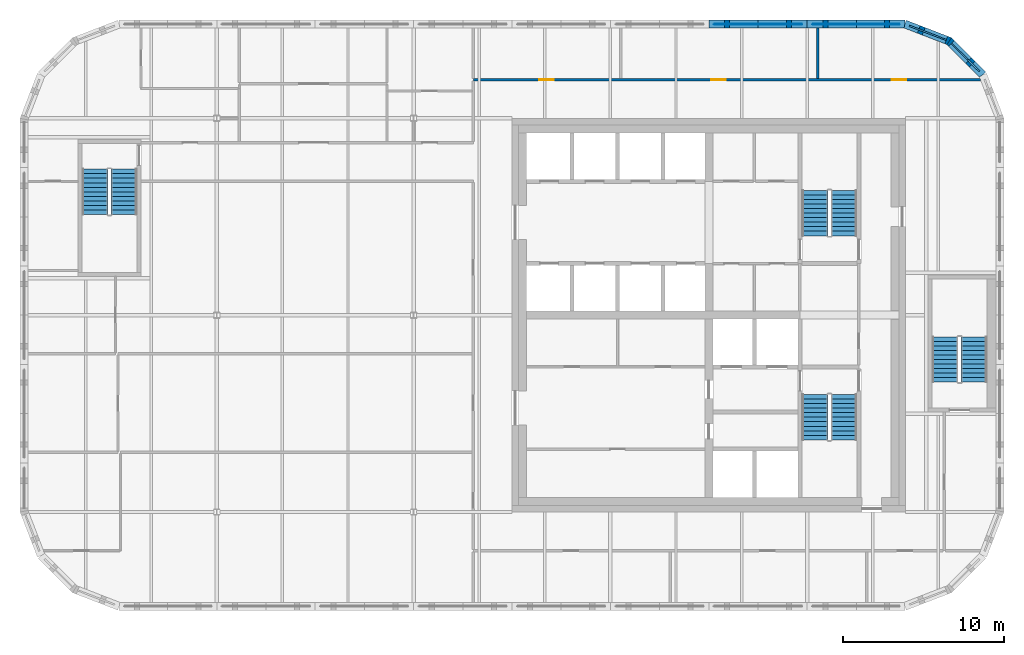
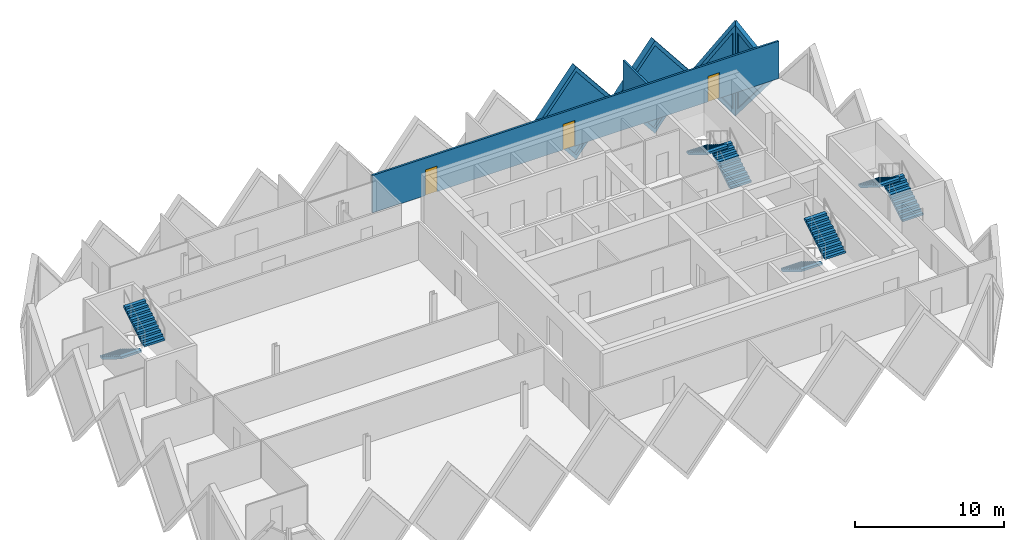
# One storey, part 9 of 10: 8 stair flights, 6 walls, 4 plates, 3 doors, 7 openings, 4 elements without a shape of their own.
"""IFC4 building model written with IfcOpenShell, lengths in metres."""

from ifc_helpers import new_model, si_unit, direction, frame, frame_2d, origin, place, context, subcontext, project, spatial, polyline, rectangle, outline, extrude, faceted_brep, source, transform, mapped, material, layer, layer_set, type_object, element, fill, aggregate, save


model = new_model("IFC4")

# Units and contexts
model_context = context("Model", 3, precision=1e-05, world=origin(), true_north=direction((0.0, 1.0)))
body_context = subcontext(model_context, "Body", "Model", "MODEL_VIEW")
ifc_project = project(units=[si_unit("LENGTHUNIT", "METRE"), si_unit("AREAUNIT", "SQUARE_METRE"), si_unit("VOLUMEUNIT", "CUBIC_METRE"), si_unit("PLANEANGLEUNIT", "RADIAN"), si_unit("MASSUNIT", "GRAM", prefix="KILO")], contexts=[model_context])

# Site, building, storey
site_placement = place(None, origin())
site = spatial("IfcSite", under=ifc_project, at=site_placement, CompositionType="ELEMENT")
building_placement = place(site_placement, origin())
building = spatial("IfcBuilding", under=site, at=building_placement, Name="Tessera Gate Towers", CompositionType="ELEMENT")
storey_placement = place(building_placement, frame((0.0, 0.0, 248.300048828125)))
storey = spatial("IfcBuildingStorey", under=building, at=storey_placement, Name="L62", CompositionType="ELEMENT", Elevation=248.300048828125)

# Wall, openings, doors
ifc_material_1 = material(Name="Gypsum board on steel studs, mineral wool", Category="steel")
ifc_layer_1 = layer(ifc_material_1, 0.14990234375)
ifc_layer_set_1 = layer_set([ifc_layer_1], Name="CORRIDOR WALL 150")
wall_type_1 = type_object("IfcWallType", Name="CORRIDOR WALL 150", PredefinedType="PARTITIONING", material=ifc_layer_set_1)
wall_1_placement = place(storey_placement, frame((28.10009765625, 51.199951171875, 0.0), z_axis=(0.0, 0.0, 1.0), x_axis=(1.0, 0.0, 0.0)))
wall_1 = element("IfcWall", 1, at=wall_1_placement, inside=storey, type_object=wall_type_1, Name="T1-L62-PW-033", PredefinedType="PARTITIONING", context=body_context, shape_type="SweptSolid", body=[
    extrude(rectangle(XDim=31.438232421875, YDim=0.14990234375, at=frame_2d((15.71923828125, 0.0))), origin(), (0.0, 0.0, 1.0), 3.06689453125),
])
shared_shape_1 = source(origin(), body_context, "Body", "SweptSolid", [
    extrude(rectangle(XDim=0.89990234375, YDim=2.10009765625, at=frame_2d((0.449951171875, 1.050048828125))), frame((0.0, 0.0849609375, 0.0), z_axis=(0.0, -1.0, 0.0), x_axis=(1.0, 0.0, 0.0)), (0.0, 0.0, 1.0), 0.169921875),
])
opening_1_placement = place(wall_1_placement, frame((4.10009765625, 0.0, 0.0)))
opening_1 = element("IfcOpeningElement", 2, at=opening_1_placement, cuts=wall_1, Name="Opening D890FD60-A21-07", PredefinedType="OPENING", context=body_context, shape_type="MappedRepresentation", body=[
    mapped(shared_shape_1, transform((0.0, 0.0, 0.0), scale=1.0)),
])
opening_2_placement = place(wall_1_placement, frame((25.950927734375, 0.0, 0.0)))
opening_2 = element("IfcOpeningElement", 3, at=opening_2_placement, cuts=wall_1, Name="Opening D890FD60-A21-08", PredefinedType="OPENING", context=body_context, shape_type="MappedRepresentation", body=[
    mapped(shared_shape_1, transform((0.0, 0.0, 0.0), scale=1.0)),
])
opening_3_placement = place(wall_1_placement, frame((14.75, 0.0, 0.0)))
opening_3 = element("IfcOpeningElement", 4, at=opening_3_placement, cuts=wall_1, Name="Opening D890FD60-A21-11", PredefinedType="OPENING", context=body_context, shape_type="MappedRepresentation", body=[
    mapped(shared_shape_1, transform((0.0, 0.0, 0.0), scale=1.0)),
])
ifc_material_2 = material(Name="Timber door leaf in steel frame", Category="steel")
door_type = type_object("IfcDoorType", Name="CORRIDOR DOOR 900 FD60", OperationType="NOTDEFINED", PredefinedType="DOOR", material=ifc_material_2)
shared_shape_2 = source(origin(), body_context, "Body", "SweptSolid", [
    extrude(rectangle(XDim=0.89990234375, YDim=2.10009765625, at=frame_2d((0.449951171875, 1.050048828125))), frame((0.0, 0.02490234375, 0.0), z_axis=(0.0, -1.0, 0.0), x_axis=(1.0, 0.0, 0.0)), (0.0, 0.0, 1.0), 0.050048828125),
])
door_1_placement = place(opening_1_placement, origin())
door_1 = element("IfcDoor", 5, at=door_1_placement, inside=storey, type_object=door_type, Name="T1-L62-PD-011", OperationType="SINGLE_SWING_LEFT", OverallHeight=2.10009765625, OverallWidth=0.89990234375, PredefinedType="DOOR", context=body_context, shape_type="MappedRepresentation", body=[
    mapped(shared_shape_2, transform((0.0, 0.0, 0.0), scale=1.0)),
])
fill(opening_1, door_1)
door_2_placement = place(opening_2_placement, origin())
door_2 = element("IfcDoor", 6, at=door_2_placement, inside=storey, type_object=door_type, Name="T1-L62-PD-015", OperationType="SINGLE_SWING_LEFT", OverallHeight=2.10009765625, OverallWidth=0.89990234375, PredefinedType="DOOR", context=body_context, shape_type="MappedRepresentation", body=[
    mapped(shared_shape_2, transform((0.0, 0.0, 0.0), scale=1.0)),
])
fill(opening_2, door_2)
door_3_placement = place(opening_3_placement, origin())
door_3 = element("IfcDoor", 7, at=door_3_placement, inside=storey, type_object=door_type, Name="T1-L62-PD-019", OperationType="SINGLE_SWING_LEFT", OverallHeight=2.10009765625, OverallWidth=0.89990234375, PredefinedType="DOOR", context=body_context, shape_type="MappedRepresentation", body=[
    mapped(shared_shape_2, transform((0.0, 0.0, 0.0), scale=1.0)),
])
fill(opening_3, door_3)

# Wall
ifc_material_3 = material(Name="Gypsum board on steel studs, mineral wool", Category="steel")
ifc_layer_2 = layer(ifc_material_3, 0.14990234375)
ifc_layer_set_2 = layer_set([ifc_layer_2], Name="TENANCY WALL 150")
wall_type_2 = type_object("IfcWallType", Name="TENANCY WALL 150", PredefinedType="PARTITIONING", material=ifc_layer_set_2)
wall_2_placement = place(storey_placement, frame((49.449951171875, 51.27587890625, 0.0), z_axis=(0.0, 0.0, 1.0), x_axis=(0.0, 1.0, 0.0)))
element("IfcWall", 8, at=wall_2_placement, inside=storey, type_object=wall_type_2, Name="T1-L62-PW-036", PredefinedType="PARTITIONING", context=body_context, shape_type="SweptSolid", body=[
    extrude(rectangle(XDim=3.1240234375, YDim=0.14990234375, at=frame_2d((1.56201171875, 0.0))), origin(), (0.0, 0.0, 1.0), 3.06689453125),
])

# Wall, opening, plate
ifc_material_4 = material(Name="Precast concrete C60/75 white", Category="concrete")
ifc_layer_3 = layer(ifc_material_4, 0.5)
ifc_layer_set_3 = layer_set([ifc_layer_3], Name="TS1 tessera")
wall_type_3 = type_object("IfcWallType", Name="TS1 tessera", PredefinedType="SOLIDWALL", material=ifc_layer_set_3)
shared_shape_3 = source(origin(), body_context, "Body", "Brep", [
    faceted_brep([(3.00341796875, -0.25, 0.0), (6.053466796875, -0.25, 3.800048828125), (3.00341796875, -0.25, 7.60009765625), (0.0, -0.25, 3.800048828125), (0.046630859375, 0.25, 3.85888671875), (3.00341796875, 0.25, 7.60009765625), (6.053466796875, 0.25, 3.800048828125), (3.00341796875, 0.25, 0.0), (0.046630859375, 0.25, 3.7412109375), (0.0, 0.0, 3.800048828125)], [[[0, 1, 2, 3]], [[4, 5, 6, 7, 8]], [[7, 6, 1, 0]], [[6, 5, 2, 1]], [[5, 4, 9, 3, 2]], [[8, 7, 0, 3, 9]], [[8, 9, 4]]]),
])
wall_3_placement = place(storey_placement, frame((54.853515625, 54.64990234375, -3.800048828125), z_axis=(0.0, 0.0, 1.0), x_axis=(-1.0, 0.0, 0.0)))
wall_3 = element("IfcWall", 9, at=wall_3_placement, inside=storey, type_object=wall_type_3, Name="Precast tessera T1 TS1-1090", PredefinedType="SOLIDWALL", context=body_context, shape_type="MappedRepresentation", body=[
    mapped(shared_shape_3, transform((0.0, 0.0, 0.0), scale=1.0)),
])
shared_shape_4 = source(origin(), body_context, "Body", "SweptSolid", [
    extrude(outline(polyline([(3.0048828125, 0.4013671875), (5.73291015625, 3.800048828125), (3.0048828125, 7.19873046875), (0.318603515625, 3.800048828125), (3.0048828125, 0.4013671875)])), frame((0.0, 0.260009765625, 0.0), z_axis=(0.0, -1.0, 0.0), x_axis=(1.0, 0.0, 0.0)), (0.0, 0.0, 1.0), 0.52001953125),
])
opening_4_placement = place(wall_3_placement, origin())
opening_4 = element("IfcOpeningElement", 10, at=opening_4_placement, cuts=wall_3, Name="Opening T1-PL2-2214", PredefinedType="OPENING", context=body_context, shape_type="MappedRepresentation", body=[
    mapped(shared_shape_4, transform((0.0, 0.0, 0.0), scale=1.0)),
])
ifc_material_5 = material(Name="Low-e laminated glass", Category="glass")
ifc_layer_4 = layer(ifc_material_5, 0.06005859375)
ifc_layer_set_4 = layer_set([ifc_layer_4], Name="PL2 rhombic pane")
plate_type = type_object("IfcPlateType", Name="PL2 rhombic pane", PredefinedType="SHEET", material=ifc_layer_set_4)
shared_shape_5 = source(origin(), body_context, "Body", "SweptSolid", [
    extrude(outline(polyline([(3.0048828125, 0.4013671875), (5.73291015625, 3.800048828125), (3.0048828125, 7.19873046875), (0.318603515625, 3.800048828125), (3.0048828125, 0.4013671875)])), frame((0.0, 0.030029296875, 0.0), z_axis=(0.0, -1.0, 0.0), x_axis=(1.0, 0.0, 0.0)), (0.0, 0.0, 1.0), 0.06005859375),
])
plate_1_placement = place(opening_4_placement, origin())
plate_1 = element("IfcPlate", 11, at=plate_1_placement, inside=storey, type_object=plate_type, Name="Glass pane T1 PL2-2214", PredefinedType="SHEET", context=body_context, shape_type="MappedRepresentation", body=[
    mapped(shared_shape_5, transform((0.0, 0.0, 0.0), scale=1.0)),
])
fill(opening_4, plate_1)

shared_shape_6 = source(origin(), body_context, "Body", "SweptSolid", [
    extrude(outline(polyline([(3.050048828125, 0.0), (6.10009765625, 3.800048828125), (3.050048828125, 7.60009765625), (0.0, 3.800048828125), (3.050048828125, 0.0)])), frame((0.0, 0.25, 0.0), z_axis=(0.0, -1.0, 0.0), x_axis=(1.0, 0.0, 0.0)), (0.0, 0.0, 1.0), 0.5),
])
wall_4_placement = place(storey_placement, frame((48.800048828125, 54.64990234375, -3.800048828125), z_axis=(0.0, 0.0, 1.0), x_axis=(-1.0, 0.0, 0.0)))
wall_4 = element("IfcWall", 12, at=wall_4_placement, inside=storey, type_object=wall_type_3, Name="Precast tessera T1 TS1-1091", PredefinedType="SOLIDWALL", context=body_context, shape_type="MappedRepresentation", body=[
    mapped(shared_shape_6, transform((0.0, 0.0, 0.0), scale=1.0)),
])
shared_shape_7 = source(origin(), body_context, "Body", "SweptSolid", [
    extrude(outline(polyline([(3.050048828125, 0.3994140625), (5.779541015625, 3.800048828125), (3.050048828125, 7.20068359375), (0.320556640625, 3.800048828125), (3.050048828125, 0.3994140625)])), frame((0.0, 0.260009765625, 0.0), z_axis=(0.0, -1.0, 0.0), x_axis=(1.0, 0.0, 0.0)), (0.0, 0.0, 1.0), 0.52001953125),
])
opening_5_placement = place(wall_4_placement, origin())
opening_5 = element("IfcOpeningElement", 13, at=opening_5_placement, cuts=wall_4, Name="Opening T1-PL2-2215", PredefinedType="OPENING", context=body_context, shape_type="MappedRepresentation", body=[
    mapped(shared_shape_7, transform((0.0, 0.0, 0.0), scale=1.0)),
])
shared_shape_8 = source(origin(), body_context, "Body", "SweptSolid", [
    extrude(outline(polyline([(3.050048828125, 0.3994140625), (5.779541015625, 3.800048828125), (3.050048828125, 7.20068359375), (0.320556640625, 3.800048828125), (3.050048828125, 0.3994140625)])), frame((0.0, 0.030029296875, 0.0), z_axis=(0.0, -1.0, 0.0), x_axis=(1.0, 0.0, 0.0)), (0.0, 0.0, 1.0), 0.06005859375),
])
plate_2_placement = place(opening_5_placement, origin())
plate_2 = element("IfcPlate", 14, at=plate_2_placement, inside=storey, type_object=plate_type, Name="Glass pane T1 PL2-2215", PredefinedType="SHEET", context=body_context, shape_type="MappedRepresentation", body=[
    mapped(shared_shape_8, transform((0.0, 0.0, 0.0), scale=1.0)),
])
fill(opening_5, plate_2)

ifc_material_6 = material(Name="Precast concrete C60/75 white", Category="concrete")
ifc_layer_5 = layer(ifc_material_6, 0.5)
ifc_layer_set_5 = layer_set([ifc_layer_5], Name="TS3 corner tessera")
wall_type_4 = type_object("IfcWallType", Name="TS3 corner tessera", PredefinedType="SOLIDWALL", material=ifc_layer_set_5)
shared_shape_9 = source(origin(), body_context, "Body", "Brep", [
    faceted_brep([(2.944091796875, -0.25, 0.0), (2.9970703125, -0.25, 0.068115234375), (2.9970703125, -0.25, 7.531982421875), (2.944091796875, -0.25, 7.60009765625), (0.0, -0.25, 3.800048828125), (0.052978515625, 0.25, 3.868408203125), (2.89111328125, 0.25, 7.531982421875), (2.89111328125, 0.25, 0.068115234375), (0.052978515625, 0.25, 3.731689453125), (2.944091796875, 0.000244140625, 0.0), (2.944091796875, 0.000244140625, 7.60009765625), (0.0, 0.0, 3.800048828125)], [[[0, 1, 2, 3, 4]], [[5, 6, 7, 8]], [[1, 0, 9]], [[10, 3, 2]], [[6, 5, 11, 4, 3, 10]], [[8, 7, 9, 0, 4, 11]], [[8, 11, 5]], [[1, 9, 7, 6, 10, 2]]]),
])
wall_5_placement = place(storey_placement, frame((59.68798828125, 51.50634765625, -3.800048828125), z_axis=(0.0, 0.0, 1.0), x_axis=(-0.707106781187, 0.707106781187, 0.0)))
wall_5 = element("IfcWall", 15, at=wall_5_placement, inside=storey, type_object=wall_type_4, Name="Precast corner tessera T1 TS3-1423", PredefinedType="SOLIDWALL", context=body_context, shape_type="MappedRepresentation", body=[
    mapped(shared_shape_9, transform((0.0, 0.0, 0.0), scale=1.0)),
])
shared_shape_10 = source(origin(), body_context, "Body", "SweptSolid", [
    extrude(outline(polyline([(2.744140625, 6.93359375), (0.316162109375, 3.800048828125), (2.744140625, 0.666259765625), (2.744140625, 6.93359375)])), frame((0.0, 0.260009765625, 0.0), z_axis=(0.0, -1.0, 0.0), x_axis=(1.0, 0.0, 0.0)), (0.0, 0.0, 1.0), 0.52001953125),
])
opening_6_placement = place(wall_5_placement, origin())
opening_6 = element("IfcOpeningElement", 16, at=opening_6_placement, cuts=wall_5, Name="Opening T1-PL2-2212", PredefinedType="OPENING", context=body_context, shape_type="MappedRepresentation", body=[
    mapped(shared_shape_10, transform((0.0, 0.0, 0.0), scale=1.0)),
])
shared_shape_11 = source(origin(), body_context, "Body", "SweptSolid", [
    extrude(outline(polyline([(2.744140625, 6.93359375), (0.316162109375, 3.800048828125), (2.744140625, 0.666259765625), (2.744140625, 6.93359375)])), frame((0.0, 0.030029296875, 0.0), z_axis=(0.0, -1.0, 0.0), x_axis=(1.0, 0.0, 0.0)), (0.0, 0.0, 1.0), 0.06005859375),
])
plate_3_placement = place(opening_6_placement, origin())
plate_3 = element("IfcPlate", 17, at=plate_3_placement, inside=storey, type_object=plate_type, Name="Glass pane T1 PL2-2212", PredefinedType="SHEET", context=body_context, shape_type="MappedRepresentation", body=[
    mapped(shared_shape_11, transform((0.0, 0.0, 0.0), scale=1.0)),
])
fill(opening_6, plate_3)

shared_shape_12 = source(origin(), body_context, "Body", "Brep", [
    faceted_brep([(0.052978515625, -0.25, 0.0), (3.00341796875, -0.25, 3.800048828125), (0.052978515625, -0.25, 7.60009765625), (0.0, -0.25, 7.53173828125), (0.0, -0.25, 0.068359375), (0.10595703125, 0.25, 7.531982421875), (2.95703125, 0.25, 3.85986328125), (2.95703125, 0.25, 3.740234375), (0.10595703125, 0.25, 0.068115234375), (3.00341796875, 0.00048828125, 3.800048828125), (0.052978515625, 0.0, 0.0), (0.052978515625, 0.0, 7.60009765625)], [[[0, 1, 2, 3, 4]], [[5, 6, 7, 8]], [[8, 7, 9, 1, 0, 10]], [[6, 5, 11, 2, 1, 9]], [[3, 2, 11]], [[10, 0, 4]], [[8, 10, 4, 3, 11, 5]], [[9, 7, 6]]]),
])
wall_6_placement = place(storey_placement, frame((57.65576171875, 53.569091796875, -3.800048828125), z_axis=(0.0, 0.0, 1.0), x_axis=(-0.933007896601, 0.359855894603, 0.0)))
wall_6 = element("IfcWall", 18, at=wall_6_placement, inside=storey, type_object=wall_type_4, Name="Precast corner tessera T1 TS3-1424", PredefinedType="SOLIDWALL", context=body_context, shape_type="MappedRepresentation", body=[
    mapped(shared_shape_12, transform((0.0, 0.0, 0.0), scale=1.0)),
])
shared_shape_13 = source(origin(), body_context, "Body", "SweptSolid", [
    extrude(outline(polyline([(0.2529296875, 0.665283203125), (2.68701171875, 3.800048828125), (0.2529296875, 6.934814453125), (0.2529296875, 0.665283203125)])), frame((0.0, 0.260009765625, 0.0), z_axis=(0.0, -1.0, 0.0), x_axis=(1.0, 0.0, 0.0)), (0.0, 0.0, 1.0), 0.52001953125),
])
opening_7_placement = place(wall_6_placement, origin())
opening_7 = element("IfcOpeningElement", 19, at=opening_7_placement, cuts=wall_6, Name="Opening T1-PL2-2213", PredefinedType="OPENING", context=body_context, shape_type="MappedRepresentation", body=[
    mapped(shared_shape_13, transform((0.0, 0.0, 0.0), scale=1.0)),
])
shared_shape_14 = source(origin(), body_context, "Body", "SweptSolid", [
    extrude(outline(polyline([(0.2529296875, 0.665283203125), (2.68701171875, 3.800048828125), (0.2529296875, 6.934814453125), (0.2529296875, 0.665283203125)])), frame((0.0, 0.030029296875, 0.0), z_axis=(0.0, -1.0, 0.0), x_axis=(1.0, 0.0, 0.0)), (0.0, 0.0, 1.0), 0.06005859375),
])
plate_4_placement = place(opening_7_placement, origin())
plate_4 = element("IfcPlate", 20, at=plate_4_placement, inside=storey, type_object=plate_type, Name="Glass pane T1 PL2-2213", PredefinedType="SHEET", context=body_context, shape_type="MappedRepresentation", body=[
    mapped(shared_shape_14, transform((0.0, 0.0, 0.0), scale=1.0)),
])
fill(opening_7, plate_4)

# Stair, stair flights
ifc_material_7 = material(Name="Concrete C40/50", Category="concrete")
stair_type_1 = type_object("IfcStairType", Name="EXIT STAIR ST1 1600", PredefinedType="HALF_TURN_STAIR", material=ifc_material_7)
stair_1_placement = place(storey_placement, origin())
stair_1 = element("IfcStair", 21, at=stair_1_placement, inside=storey, type_object=stair_type_1, Name="L62 Protected Exit Stair ST1", PredefinedType="HALF_TURN_STAIR")
ifc_material_8 = material(Name="Concrete C40/50", Category="concrete")
stair_flight_type_1 = type_object("IfcStairFlightType", Name="EXIT STAIR FLIGHT ST1 1600", PredefinedType="STRAIGHT", material=ifc_material_8)
stair_flight_1_placement = place(storey_placement, frame((49.27490234375, 31.675048828125, 0.0), z_axis=(0.0, 0.0, 1.0), x_axis=(0.0, -1.0, 0.0)))
stair_flight_1 = element("IfcStairFlight", 22, at=stair_flight_1_placement, type_object=stair_flight_type_1, Name="ST1 flight 1", NumberOfRisers=11, NumberOfTreads=10, PredefinedType="STRAIGHT", RiserHeight=0.172727273, TreadLength=0.28, context=body_context, shape_type="SweptSolid", body=[
    extrude(outline(polyline([(0.0, 0.0), (0.0, 0.172607421875), (0.280029296875, 0.172607421875), (0.280029296875, 0.345458984375), (0.56005859375, 0.345458984375), (0.56005859375, 0.51806640625), (0.840087890625, 0.51806640625), (0.840087890625, 0.69091796875), (1.1201171875, 0.69091796875), (1.1201171875, 0.863525390625), (1.39990234375, 0.863525390625), (1.39990234375, 1.036376953125), (1.679931640625, 1.036376953125), (1.679931640625, 1.208984375), (1.9599609375, 1.208984375), (1.9599609375, 1.3818359375), (2.239990234375, 1.3818359375), (2.239990234375, 1.554443359375), (2.52001953125, 1.554443359375), (2.52001953125, 1.727294921875), (2.800048828125, 1.727294921875), (2.800048828125, 1.89990234375), (2.800048828125, 1.551025390625), (0.285400390625, 0.0), (0.0, 0.0)])), frame((0.0, 0.800048828125, 0.0), z_axis=(0.0, -1.0, 0.0), x_axis=(1.0, 0.0, 0.0)), (0.0, 0.0, 1.0), 1.60009765625),
])
stair_flight_2_placement = place(storey_placement, frame((51.074951171875, 28.875, 1.89990234375), z_axis=(0.0, 0.0, 1.0), x_axis=(0.0, 1.0, 0.0)))
stair_flight_2 = element("IfcStairFlight", 23, at=stair_flight_2_placement, type_object=stair_flight_type_1, Name="ST1 flight 2", NumberOfRisers=11, NumberOfTreads=10, PredefinedType="STRAIGHT", RiserHeight=0.172727273, TreadLength=0.28, context=body_context, shape_type="SweptSolid", body=[
    extrude(outline(polyline([(0.0, 0.0), (0.0, 0.172607421875), (0.280029296875, 0.172607421875), (0.280029296875, 0.345458984375), (0.56005859375, 0.345458984375), (0.56005859375, 0.51806640625), (0.840087890625, 0.51806640625), (0.840087890625, 0.69091796875), (1.1201171875, 0.69091796875), (1.1201171875, 0.863525390625), (1.39990234375, 0.863525390625), (1.39990234375, 1.036376953125), (1.679931640625, 1.036376953125), (1.679931640625, 1.208984375), (1.9599609375, 1.208984375), (1.9599609375, 1.3818359375), (2.239990234375, 1.3818359375), (2.239990234375, 1.554443359375), (2.52001953125, 1.554443359375), (2.52001953125, 1.727294921875), (2.800048828125, 1.727294921875), (2.800048828125, 1.89990234375), (2.800048828125, 1.551025390625), (0.285400390625, 0.0), (0.0, 0.0)])), frame((0.0, 0.800048828125, 0.0), z_axis=(0.0, -1.0, 0.0), x_axis=(1.0, 0.0, 0.0)), (0.0, 0.0, 1.0), 1.60009765625),
])
aggregate(stair_1, [stair_flight_1, stair_flight_2])

ifc_material_9 = material(Name="Concrete C40/50", Category="concrete")
stair_type_2 = type_object("IfcStairType", Name="EXIT STAIR ST2 1600", PredefinedType="HALF_TURN_STAIR", material=ifc_material_9)
stair_2_placement = place(storey_placement, origin())
stair_2 = element("IfcStair", 24, at=stair_2_placement, inside=storey, type_object=stair_type_2, Name="L62 Protected Exit Stair ST2", PredefinedType="HALF_TURN_STAIR")
ifc_material_10 = material(Name="Concrete C40/50", Category="concrete")
stair_flight_type_2 = type_object("IfcStairFlightType", Name="EXIT STAIR FLIGHT ST2 1600", PredefinedType="STRAIGHT", material=ifc_material_10)
stair_flight_3_placement = place(storey_placement, frame((51.074951171875, 41.52490234375, 0.0), z_axis=(0.0, 0.0, 1.0), x_axis=(0.0, 1.0, 0.0)))
stair_flight_3 = element("IfcStairFlight", 25, at=stair_flight_3_placement, type_object=stair_flight_type_2, Name="ST2 flight 1", NumberOfRisers=11, NumberOfTreads=10, PredefinedType="STRAIGHT", RiserHeight=0.172727273, TreadLength=0.28, context=body_context, shape_type="SweptSolid", body=[
    extrude(outline(polyline([(0.0, 0.0), (0.0, 0.172607421875), (0.280029296875, 0.172607421875), (0.280029296875, 0.345458984375), (0.56005859375, 0.345458984375), (0.56005859375, 0.51806640625), (0.840087890625, 0.51806640625), (0.840087890625, 0.69091796875), (1.1201171875, 0.69091796875), (1.1201171875, 0.863525390625), (1.39990234375, 0.863525390625), (1.39990234375, 1.036376953125), (1.679931640625, 1.036376953125), (1.679931640625, 1.208984375), (1.9599609375, 1.208984375), (1.9599609375, 1.3818359375), (2.239990234375, 1.3818359375), (2.239990234375, 1.554443359375), (2.52001953125, 1.554443359375), (2.52001953125, 1.727294921875), (2.800048828125, 1.727294921875), (2.800048828125, 1.89990234375), (2.800048828125, 1.551025390625), (0.285400390625, 0.0), (0.0, 0.0)])), frame((0.0, 0.800048828125, 0.0), z_axis=(0.0, -1.0, 0.0), x_axis=(1.0, 0.0, 0.0)), (0.0, 0.0, 1.0), 1.60009765625),
])
stair_flight_4_placement = place(storey_placement, frame((49.27490234375, 44.324951171875, 1.89990234375), z_axis=(0.0, 0.0, 1.0), x_axis=(0.0, -1.0, 0.0)))
stair_flight_4 = element("IfcStairFlight", 26, at=stair_flight_4_placement, type_object=stair_flight_type_2, Name="ST2 flight 2", NumberOfRisers=11, NumberOfTreads=10, PredefinedType="STRAIGHT", RiserHeight=0.172727273, TreadLength=0.28, context=body_context, shape_type="SweptSolid", body=[
    extrude(outline(polyline([(0.0, 0.0), (0.0, 0.172607421875), (0.280029296875, 0.172607421875), (0.280029296875, 0.345458984375), (0.56005859375, 0.345458984375), (0.56005859375, 0.51806640625), (0.840087890625, 0.51806640625), (0.840087890625, 0.69091796875), (1.1201171875, 0.69091796875), (1.1201171875, 0.863525390625), (1.39990234375, 0.863525390625), (1.39990234375, 1.036376953125), (1.679931640625, 1.036376953125), (1.679931640625, 1.208984375), (1.9599609375, 1.208984375), (1.9599609375, 1.3818359375), (2.239990234375, 1.3818359375), (2.239990234375, 1.554443359375), (2.52001953125, 1.554443359375), (2.52001953125, 1.727294921875), (2.800048828125, 1.727294921875), (2.800048828125, 1.89990234375), (2.800048828125, 1.551025390625), (0.285400390625, 0.0), (0.0, 0.0)])), frame((0.0, 0.800048828125, 0.0), z_axis=(0.0, -1.0, 0.0), x_axis=(1.0, 0.0, 0.0)), (0.0, 0.0, 1.0), 1.60009765625),
])
aggregate(stair_2, [stair_flight_3, stair_flight_4])

ifc_material_11 = material(Name="Concrete C40/50", Category="concrete")
stair_type_3 = type_object("IfcStairType", Name="EXIT STAIR ST3 1600", PredefinedType="HALF_TURN_STAIR", material=ifc_material_11)
stair_3_placement = place(storey_placement, origin())
stair_3 = element("IfcStair", 27, at=stair_3_placement, inside=storey, type_object=stair_type_3, Name="L62 West Exit Stair ST3", PredefinedType="HALF_TURN_STAIR")
ifc_material_12 = material(Name="Concrete C40/50", Category="concrete")
stair_flight_type_3 = type_object("IfcStairFlightType", Name="EXIT STAIR FLIGHT ST3 1600", PredefinedType="STRAIGHT", material=ifc_material_12)
stair_flight_5_placement = place(storey_placement, frame((4.64990234375, 45.64990234375, 0.0), z_axis=(0.0, 0.0, 1.0), x_axis=(0.0, -1.0, 0.0)))
stair_flight_5 = element("IfcStairFlight", 28, at=stair_flight_5_placement, type_object=stair_flight_type_3, Name="ST3 flight 1", NumberOfRisers=11, NumberOfTreads=10, PredefinedType="STRAIGHT", RiserHeight=0.172727273, TreadLength=0.28, context=body_context, shape_type="SweptSolid", body=[
    extrude(outline(polyline([(0.0, 0.0), (0.0, 0.172607421875), (0.280029296875, 0.172607421875), (0.280029296875, 0.345458984375), (0.56005859375, 0.345458984375), (0.56005859375, 0.51806640625), (0.840087890625, 0.51806640625), (0.840087890625, 0.69091796875), (1.1201171875, 0.69091796875), (1.1201171875, 0.863525390625), (1.39990234375, 0.863525390625), (1.39990234375, 1.036376953125), (1.679931640625, 1.036376953125), (1.679931640625, 1.208984375), (1.9599609375, 1.208984375), (1.9599609375, 1.3818359375), (2.239990234375, 1.3818359375), (2.239990234375, 1.554443359375), (2.52001953125, 1.554443359375), (2.52001953125, 1.727294921875), (2.800048828125, 1.727294921875), (2.800048828125, 1.89990234375), (2.800048828125, 1.551025390625), (0.285400390625, 0.0), (0.0, 0.0)])), frame((0.0, 0.800048828125, 0.0), z_axis=(0.0, -1.0, 0.0), x_axis=(1.0, 0.0, 0.0)), (0.0, 0.0, 1.0), 1.60009765625),
])
stair_flight_6_placement = place(storey_placement, frame((6.449951171875, 42.85009765625, 1.89990234375), z_axis=(0.0, 0.0, 1.0), x_axis=(0.0, 1.0, 0.0)))
stair_flight_6 = element("IfcStairFlight", 29, at=stair_flight_6_placement, type_object=stair_flight_type_3, Name="ST3 flight 2", NumberOfRisers=11, NumberOfTreads=10, PredefinedType="STRAIGHT", RiserHeight=0.172727273, TreadLength=0.28, context=body_context, shape_type="SweptSolid", body=[
    extrude(outline(polyline([(0.0, 0.0), (0.0, 0.172607421875), (0.280029296875, 0.172607421875), (0.280029296875, 0.345458984375), (0.56005859375, 0.345458984375), (0.56005859375, 0.51806640625), (0.840087890625, 0.51806640625), (0.840087890625, 0.69091796875), (1.1201171875, 0.69091796875), (1.1201171875, 0.863525390625), (1.39990234375, 0.863525390625), (1.39990234375, 1.036376953125), (1.679931640625, 1.036376953125), (1.679931640625, 1.208984375), (1.9599609375, 1.208984375), (1.9599609375, 1.3818359375), (2.239990234375, 1.3818359375), (2.239990234375, 1.554443359375), (2.52001953125, 1.554443359375), (2.52001953125, 1.727294921875), (2.800048828125, 1.727294921875), (2.800048828125, 1.89990234375), (2.800048828125, 1.551025390625), (0.285400390625, 0.0), (0.0, 0.0)])), frame((0.0, 0.800048828125, 0.0), z_axis=(0.0, -1.0, 0.0), x_axis=(1.0, 0.0, 0.0)), (0.0, 0.0, 1.0), 1.60009765625),
])
aggregate(stair_3, [stair_flight_5, stair_flight_6])

ifc_material_13 = material(Name="Concrete C40/50", Category="concrete")
stair_type_4 = type_object("IfcStairType", Name="EXIT STAIR ST5 1600", PredefinedType="HALF_TURN_STAIR", material=ifc_material_13)
stair_4_placement = place(storey_placement, origin())
stair_4 = element("IfcStair", 30, at=stair_4_placement, inside=storey, type_object=stair_type_4, Name="L62 East Exit Stair ST5", PredefinedType="HALF_TURN_STAIR")
ifc_material_14 = material(Name="Concrete C40/50", Category="concrete")
stair_flight_type_4 = type_object("IfcStairFlightType", Name="EXIT STAIR FLIGHT ST5 1600", PredefinedType="STRAIGHT", material=ifc_material_14)
stair_flight_7_placement = place(storey_placement, frame((59.14990234375, 32.449951171875, 0.0), z_axis=(0.0, 0.0, 1.0), x_axis=(0.0, 1.0, 0.0)))
stair_flight_7 = element("IfcStairFlight", 31, at=stair_flight_7_placement, type_object=stair_flight_type_4, Name="ST5 flight 1", NumberOfRisers=11, NumberOfTreads=10, PredefinedType="STRAIGHT", RiserHeight=0.172727273, TreadLength=0.28, context=body_context, shape_type="SweptSolid", body=[
    extrude(outline(polyline([(0.0, 0.0), (0.0, 0.172607421875), (0.280029296875, 0.172607421875), (0.280029296875, 0.345458984375), (0.56005859375, 0.345458984375), (0.56005859375, 0.51806640625), (0.840087890625, 0.51806640625), (0.840087890625, 0.69091796875), (1.1201171875, 0.69091796875), (1.1201171875, 0.863525390625), (1.39990234375, 0.863525390625), (1.39990234375, 1.036376953125), (1.679931640625, 1.036376953125), (1.679931640625, 1.208984375), (1.9599609375, 1.208984375), (1.9599609375, 1.3818359375), (2.239990234375, 1.3818359375), (2.239990234375, 1.554443359375), (2.52001953125, 1.554443359375), (2.52001953125, 1.727294921875), (2.800048828125, 1.727294921875), (2.800048828125, 1.89990234375), (2.800048828125, 1.551025390625), (0.285400390625, 0.0), (0.0, 0.0)])), frame((0.0, 0.800048828125, 0.0), z_axis=(0.0, -1.0, 0.0), x_axis=(1.0, 0.0, 0.0)), (0.0, 0.0, 1.0), 1.60009765625),
])
stair_flight_8_placement = place(storey_placement, frame((57.35009765625, 35.25, 1.89990234375), z_axis=(0.0, 0.0, 1.0), x_axis=(0.0, -1.0, 0.0)))
stair_flight_8 = element("IfcStairFlight", 32, at=stair_flight_8_placement, type_object=stair_flight_type_4, Name="ST5 flight 2", NumberOfRisers=11, NumberOfTreads=10, PredefinedType="STRAIGHT", RiserHeight=0.172727273, TreadLength=0.28, context=body_context, shape_type="SweptSolid", body=[
    extrude(outline(polyline([(0.0, 0.0), (0.0, 0.172607421875), (0.280029296875, 0.172607421875), (0.280029296875, 0.345458984375), (0.56005859375, 0.345458984375), (0.56005859375, 0.51806640625), (0.840087890625, 0.51806640625), (0.840087890625, 0.69091796875), (1.1201171875, 0.69091796875), (1.1201171875, 0.863525390625), (1.39990234375, 0.863525390625), (1.39990234375, 1.036376953125), (1.679931640625, 1.036376953125), (1.679931640625, 1.208984375), (1.9599609375, 1.208984375), (1.9599609375, 1.3818359375), (2.239990234375, 1.3818359375), (2.239990234375, 1.554443359375), (2.52001953125, 1.554443359375), (2.52001953125, 1.727294921875), (2.800048828125, 1.727294921875), (2.800048828125, 1.89990234375), (2.800048828125, 1.551025390625), (0.285400390625, 0.0), (0.0, 0.0)])), frame((0.0, 0.800048828125, 0.0), z_axis=(0.0, -1.0, 0.0), x_axis=(1.0, 0.0, 0.0)), (0.0, 0.0, 1.0), 1.60009765625),
])
aggregate(stair_4, [stair_flight_7, stair_flight_8])

save(model, "model.ifc")
